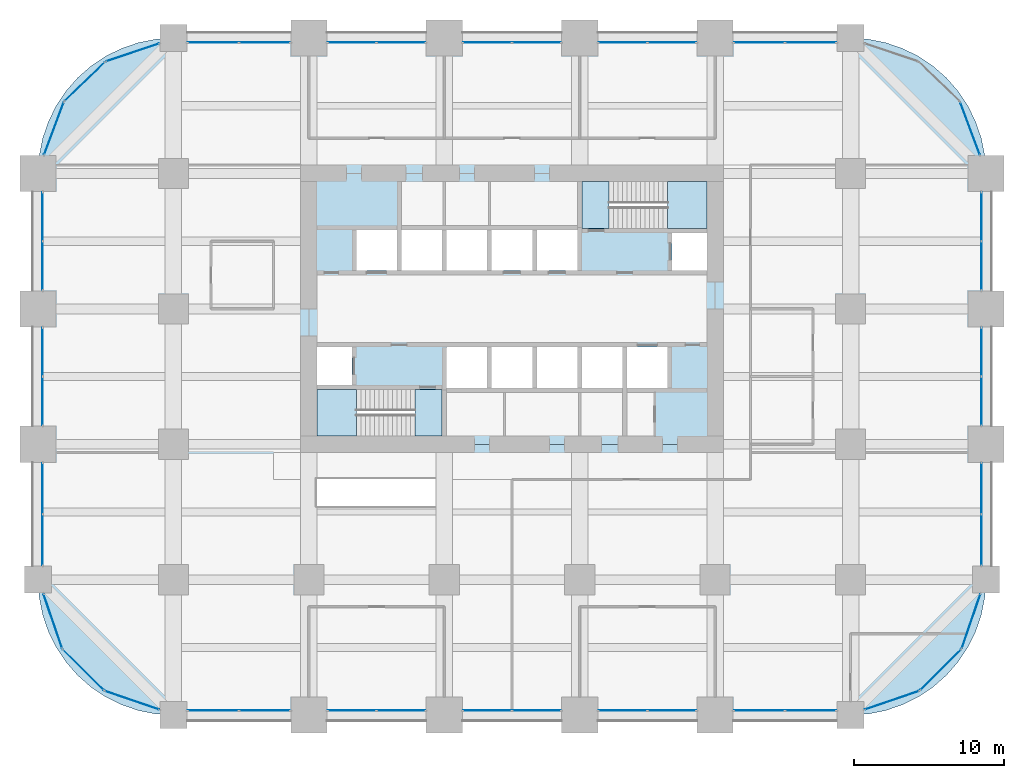
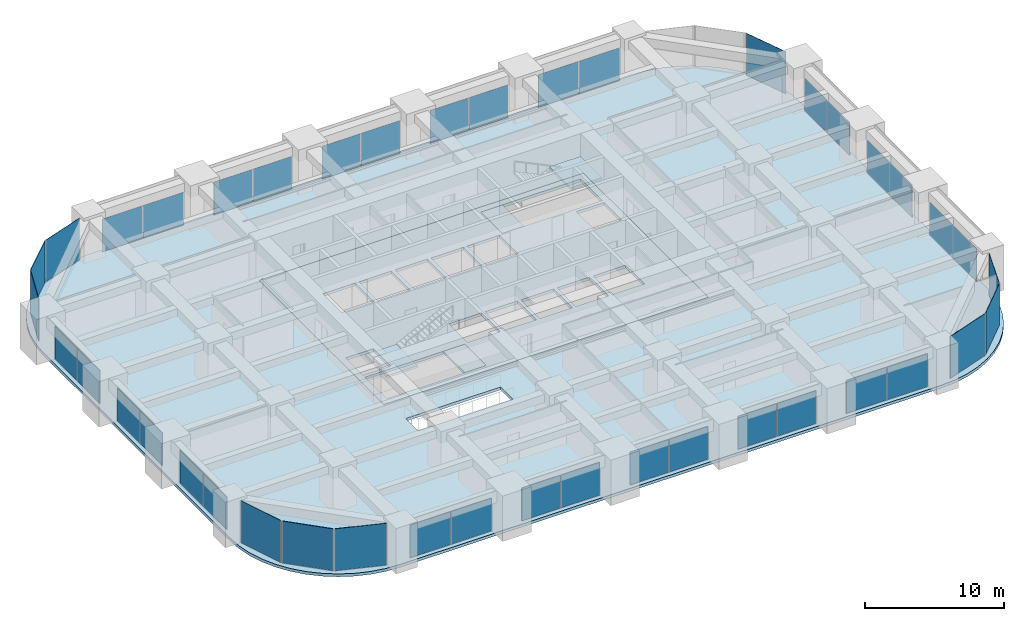
# One storey, part 35 of 39: 42 plates, 6 slabs, 28 elements without a shape of their own.
"""IFC4 building model written with IfcOpenShell, lengths in metres."""

from ifc_helpers import new_model, si_unit, direction, frame, origin, origin_2d, place, context, subcontext, project, spatial, polyline, rectangle, outline, extrude, material, layer, layer_set, type_object, element, aggregate, save


model = new_model("IFC4")

# Units and contexts
model_context = context("Model", 3, precision=1e-05, world=origin(), true_north=direction((0.0, 1.0)))
body_context = subcontext(model_context, "Body", "Model", "MODEL_VIEW")
ifc_project = project(units=[si_unit("LENGTHUNIT", "METRE"), si_unit("AREAUNIT", "SQUARE_METRE"), si_unit("VOLUMEUNIT", "CUBIC_METRE"), si_unit("PLANEANGLEUNIT", "RADIAN"), si_unit("MASSUNIT", "GRAM", prefix="KILO")], contexts=[model_context])

# Site, building, storey
site_placement = place(None, origin())
site = spatial("IfcSite", under=ifc_project, at=site_placement, CompositionType="ELEMENT")
building_placement = place(site_placement, origin())
building = spatial("IfcBuilding", under=site, at=building_placement, Name="Zorevar Civic Tower", CompositionType="ELEMENT")
storey_placement = place(building_placement, frame((0.0, 0.0, 121.0)))
storey = spatial("IfcBuildingStorey", under=building, at=storey_placement, Name="L29", CompositionType="ELEMENT", Elevation=121.0)

# Curtain wall, plates
ifc_material_1 = material(Name="Dark grey solar-control glass in black aluminium frame", Category="aluminium")
curtain_wall_type = type_object("IfcCurtainWallType", Name="Curtain wall CW3 mid zone", PredefinedType="NOTDEFINED", material=ifc_material_1)
curtain_wall_1_placement = place(storey_placement, origin())
curtain_wall_1 = element("IfcCurtainWall", 1, at=curtain_wall_1_placement, inside=storey, type_object=curtain_wall_type, Name="CW3 L29", PredefinedType="NOTDEFINED")
ifc_material_2 = material(Name="Dark grey solar-control glass", Category="glass")
ifc_layer_1 = layer(ifc_material_2, 0.030029296875)
ifc_layer_set_1 = layer_set([ifc_layer_1], Name="CW3 panel 30")
plate_type = type_object("IfcPlateType", Name="CW3 panel 30", PredefinedType="CURTAIN_PANEL", material=ifc_layer_set_1)
plate_1_placement = place(storey_placement, frame((11.639892578125, 0.300048828125, 0.06005859375), z_axis=(0.0, 0.0, 1.0), x_axis=(1.0, 0.0, 0.0)))
plate_1 = element("IfcPlate", 2, at=plate_1_placement, type_object=plate_type, Name="CW3 panel 1.1", PredefinedType="CURTAIN_PANEL", context=body_context, shape_type="SweptSolid", body=[
    extrude(rectangle(XDim=3.360107421875, YDim=0.030029296875, at=origin_2d()), origin(), (0.0, 0.0, 1.0), 2.889892578125),
])
plate_2_placement = place(storey_placement, frame((15.06005859375, 0.300048828125, 0.06005859375), z_axis=(0.0, 0.0, 1.0), x_axis=(1.0, 0.0, 0.0)))
plate_2 = element("IfcPlate", 3, at=plate_2_placement, type_object=plate_type, Name="CW3 panel 2.1", PredefinedType="CURTAIN_PANEL", context=body_context, shape_type="SweptSolid", body=[
    extrude(rectangle(XDim=3.360107421875, YDim=0.030029296875, at=origin_2d()), origin(), (0.0, 0.0, 1.0), 2.889892578125),
])
aggregate(curtain_wall_1, [plate_1, plate_2])

curtain_wall_2_placement = place(storey_placement, origin())
curtain_wall_2 = element("IfcCurtainWall", 4, at=curtain_wall_2_placement, inside=storey, type_object=curtain_wall_type, Name="CW3 L29", PredefinedType="NOTDEFINED")
plate_3_placement = place(storey_placement, frame((11.639892578125, 44.699951171875, 0.06005859375), z_axis=(0.0, 0.0, 1.0), x_axis=(1.0, 0.0, 0.0)))
plate_3 = element("IfcPlate", 5, at=plate_3_placement, type_object=plate_type, Name="CW3 panel 1.1", PredefinedType="CURTAIN_PANEL", context=body_context, shape_type="SweptSolid", body=[
    extrude(rectangle(XDim=3.360107421875, YDim=0.030029296875, at=origin_2d()), origin(), (0.0, 0.0, 1.0), 2.889892578125),
])
plate_4_placement = place(storey_placement, frame((15.06005859375, 44.699951171875, 0.06005859375), z_axis=(0.0, 0.0, 1.0), x_axis=(1.0, 0.0, 0.0)))
plate_4 = element("IfcPlate", 6, at=plate_4_placement, type_object=plate_type, Name="CW3 panel 2.1", PredefinedType="CURTAIN_PANEL", context=body_context, shape_type="SweptSolid", body=[
    extrude(rectangle(XDim=3.360107421875, YDim=0.030029296875, at=origin_2d()), origin(), (0.0, 0.0, 1.0), 2.889892578125),
])
aggregate(curtain_wall_2, [plate_3, plate_4])

curtain_wall_3_placement = place(storey_placement, origin())
curtain_wall_3 = element("IfcCurtainWall", 7, at=curtain_wall_3_placement, inside=storey, type_object=curtain_wall_type, Name="CW3 L29", PredefinedType="NOTDEFINED")
plate_5_placement = place(storey_placement, frame((20.864990234375, 0.300048828125, 0.06005859375), z_axis=(0.0, 0.0, 1.0), x_axis=(1.0, 0.0, 0.0)))
plate_5 = element("IfcPlate", 8, at=plate_5_placement, type_object=plate_type, Name="CW3 panel 1.1", PredefinedType="CURTAIN_PANEL", context=body_context, shape_type="SweptSolid", body=[
    extrude(rectangle(XDim=3.2099609375, YDim=0.030029296875, at=origin_2d()), origin(), (0.0, 0.0, 1.0), 2.889892578125),
])
plate_6_placement = place(storey_placement, frame((24.135009765625, 0.300048828125, 0.06005859375), z_axis=(0.0, 0.0, 1.0), x_axis=(1.0, 0.0, 0.0)))
plate_6 = element("IfcPlate", 9, at=plate_6_placement, type_object=plate_type, Name="CW3 panel 2.1", PredefinedType="CURTAIN_PANEL", context=body_context, shape_type="SweptSolid", body=[
    extrude(rectangle(XDim=3.2099609375, YDim=0.030029296875, at=origin_2d()), origin(), (0.0, 0.0, 1.0), 2.889892578125),
])
aggregate(curtain_wall_3, [plate_5, plate_6])

curtain_wall_4_placement = place(storey_placement, origin())
curtain_wall_4 = element("IfcCurtainWall", 10, at=curtain_wall_4_placement, inside=storey, type_object=curtain_wall_type, Name="CW3 L29", PredefinedType="NOTDEFINED")
plate_7_placement = place(storey_placement, frame((20.864990234375, 44.699951171875, 0.06005859375), z_axis=(0.0, 0.0, 1.0), x_axis=(1.0, 0.0, 0.0)))
plate_7 = element("IfcPlate", 11, at=plate_7_placement, type_object=plate_type, Name="CW3 panel 1.1", PredefinedType="CURTAIN_PANEL", context=body_context, shape_type="SweptSolid", body=[
    extrude(rectangle(XDim=3.2099609375, YDim=0.030029296875, at=origin_2d()), origin(), (0.0, 0.0, 1.0), 2.889892578125),
])
plate_8_placement = place(storey_placement, frame((24.135009765625, 44.699951171875, 0.06005859375), z_axis=(0.0, 0.0, 1.0), x_axis=(1.0, 0.0, 0.0)))
plate_8 = element("IfcPlate", 12, at=plate_8_placement, type_object=plate_type, Name="CW3 panel 2.1", PredefinedType="CURTAIN_PANEL", context=body_context, shape_type="SweptSolid", body=[
    extrude(rectangle(XDim=3.2099609375, YDim=0.030029296875, at=origin_2d()), origin(), (0.0, 0.0, 1.0), 2.889892578125),
])
aggregate(curtain_wall_4, [plate_7, plate_8])

curtain_wall_5_placement = place(storey_placement, origin())
curtain_wall_5 = element("IfcCurtainWall", 13, at=curtain_wall_5_placement, inside=storey, type_object=curtain_wall_type, Name="CW3 L29", PredefinedType="NOTDEFINED")
plate_9_placement = place(storey_placement, frame((29.864990234375, 0.300048828125, 0.06005859375), z_axis=(0.0, 0.0, 1.0), x_axis=(1.0, 0.0, 0.0)))
plate_9 = element("IfcPlate", 14, at=plate_9_placement, type_object=plate_type, Name="CW3 panel 1.1", PredefinedType="CURTAIN_PANEL", context=body_context, shape_type="SweptSolid", body=[
    extrude(rectangle(XDim=3.2099609375, YDim=0.030029296875, at=origin_2d()), origin(), (0.0, 0.0, 1.0), 2.889892578125),
])
plate_10_placement = place(storey_placement, frame((33.135009765625, 0.300048828125, 0.06005859375), z_axis=(0.0, 0.0, 1.0), x_axis=(1.0, 0.0, 0.0)))
plate_10 = element("IfcPlate", 15, at=plate_10_placement, type_object=plate_type, Name="CW3 panel 2.1", PredefinedType="CURTAIN_PANEL", context=body_context, shape_type="SweptSolid", body=[
    extrude(rectangle(XDim=3.2099609375, YDim=0.030029296875, at=origin_2d()), origin(), (0.0, 0.0, 1.0), 2.889892578125),
])
aggregate(curtain_wall_5, [plate_9, plate_10])

curtain_wall_6_placement = place(storey_placement, origin())
curtain_wall_6 = element("IfcCurtainWall", 16, at=curtain_wall_6_placement, inside=storey, type_object=curtain_wall_type, Name="CW3 L29", PredefinedType="NOTDEFINED")
plate_11_placement = place(storey_placement, frame((29.864990234375, 44.699951171875, 0.06005859375), z_axis=(0.0, 0.0, 1.0), x_axis=(1.0, 0.0, 0.0)))
plate_11 = element("IfcPlate", 17, at=plate_11_placement, type_object=plate_type, Name="CW3 panel 1.1", PredefinedType="CURTAIN_PANEL", context=body_context, shape_type="SweptSolid", body=[
    extrude(rectangle(XDim=3.2099609375, YDim=0.030029296875, at=origin_2d()), origin(), (0.0, 0.0, 1.0), 2.889892578125),
])
plate_12_placement = place(storey_placement, frame((33.135009765625, 44.699951171875, 0.06005859375), z_axis=(0.0, 0.0, 1.0), x_axis=(1.0, 0.0, 0.0)))
plate_12 = element("IfcPlate", 18, at=plate_12_placement, type_object=plate_type, Name="CW3 panel 2.1", PredefinedType="CURTAIN_PANEL", context=body_context, shape_type="SweptSolid", body=[
    extrude(rectangle(XDim=3.2099609375, YDim=0.030029296875, at=origin_2d()), origin(), (0.0, 0.0, 1.0), 2.889892578125),
])
aggregate(curtain_wall_6, [plate_11, plate_12])

curtain_wall_7_placement = place(storey_placement, origin())
curtain_wall_7 = element("IfcCurtainWall", 19, at=curtain_wall_7_placement, inside=storey, type_object=curtain_wall_type, Name="CW3 L29", PredefinedType="NOTDEFINED")
plate_13_placement = place(storey_placement, frame((38.864990234375, 0.300048828125, 0.06005859375), z_axis=(0.0, 0.0, 1.0), x_axis=(1.0, 0.0, 0.0)))
plate_13 = element("IfcPlate", 20, at=plate_13_placement, type_object=plate_type, Name="CW3 panel 1.1", PredefinedType="CURTAIN_PANEL", context=body_context, shape_type="SweptSolid", body=[
    extrude(rectangle(XDim=3.2099609375, YDim=0.030029296875, at=origin_2d()), origin(), (0.0, 0.0, 1.0), 2.889892578125),
])
plate_14_placement = place(storey_placement, frame((42.135009765625, 0.300048828125, 0.06005859375), z_axis=(0.0, 0.0, 1.0), x_axis=(1.0, 0.0, 0.0)))
plate_14 = element("IfcPlate", 21, at=plate_14_placement, type_object=plate_type, Name="CW3 panel 2.1", PredefinedType="CURTAIN_PANEL", context=body_context, shape_type="SweptSolid", body=[
    extrude(rectangle(XDim=3.2099609375, YDim=0.030029296875, at=origin_2d()), origin(), (0.0, 0.0, 1.0), 2.889892578125),
])
aggregate(curtain_wall_7, [plate_13, plate_14])

curtain_wall_8_placement = place(storey_placement, origin())
curtain_wall_8 = element("IfcCurtainWall", 22, at=curtain_wall_8_placement, inside=storey, type_object=curtain_wall_type, Name="CW3 L29", PredefinedType="NOTDEFINED")
plate_15_placement = place(storey_placement, frame((38.864990234375, 44.699951171875, 0.06005859375), z_axis=(0.0, 0.0, 1.0), x_axis=(1.0, 0.0, 0.0)))
plate_15 = element("IfcPlate", 23, at=plate_15_placement, type_object=plate_type, Name="CW3 panel 1.1", PredefinedType="CURTAIN_PANEL", context=body_context, shape_type="SweptSolid", body=[
    extrude(rectangle(XDim=3.2099609375, YDim=0.030029296875, at=origin_2d()), origin(), (0.0, 0.0, 1.0), 2.889892578125),
])
plate_16_placement = place(storey_placement, frame((42.135009765625, 44.699951171875, 0.06005859375), z_axis=(0.0, 0.0, 1.0), x_axis=(1.0, 0.0, 0.0)))
plate_16 = element("IfcPlate", 24, at=plate_16_placement, type_object=plate_type, Name="CW3 panel 2.1", PredefinedType="CURTAIN_PANEL", context=body_context, shape_type="SweptSolid", body=[
    extrude(rectangle(XDim=3.2099609375, YDim=0.030029296875, at=origin_2d()), origin(), (0.0, 0.0, 1.0), 2.889892578125),
])
aggregate(curtain_wall_8, [plate_15, plate_16])

curtain_wall_9_placement = place(storey_placement, origin())
curtain_wall_9 = element("IfcCurtainWall", 25, at=curtain_wall_9_placement, inside=storey, type_object=curtain_wall_type, Name="CW3 L29", PredefinedType="NOTDEFINED")
plate_17_placement = place(storey_placement, frame((47.93994140625, 0.300048828125, 0.06005859375), z_axis=(0.0, 0.0, 1.0), x_axis=(1.0, 0.0, 0.0)))
plate_17 = element("IfcPlate", 26, at=plate_17_placement, type_object=plate_type, Name="CW3 panel 1.1", PredefinedType="CURTAIN_PANEL", context=body_context, shape_type="SweptSolid", body=[
    extrude(rectangle(XDim=3.360107421875, YDim=0.030029296875, at=origin_2d()), origin(), (0.0, 0.0, 1.0), 2.889892578125),
])
plate_18_placement = place(storey_placement, frame((51.360107421875, 0.300048828125, 0.06005859375), z_axis=(0.0, 0.0, 1.0), x_axis=(1.0, 0.0, 0.0)))
plate_18 = element("IfcPlate", 27, at=plate_18_placement, type_object=plate_type, Name="CW3 panel 2.1", PredefinedType="CURTAIN_PANEL", context=body_context, shape_type="SweptSolid", body=[
    extrude(rectangle(XDim=3.360107421875, YDim=0.030029296875, at=origin_2d()), origin(), (0.0, 0.0, 1.0), 2.889892578125),
])
aggregate(curtain_wall_9, [plate_17, plate_18])

curtain_wall_10_placement = place(storey_placement, origin())
curtain_wall_10 = element("IfcCurtainWall", 28, at=curtain_wall_10_placement, inside=storey, type_object=curtain_wall_type, Name="CW3 L29", PredefinedType="NOTDEFINED")
plate_19_placement = place(storey_placement, frame((47.93994140625, 44.699951171875, 0.06005859375), z_axis=(0.0, 0.0, 1.0), x_axis=(1.0, 0.0, 0.0)))
plate_19 = element("IfcPlate", 29, at=plate_19_placement, type_object=plate_type, Name="CW3 panel 1.1", PredefinedType="CURTAIN_PANEL", context=body_context, shape_type="SweptSolid", body=[
    extrude(rectangle(XDim=3.360107421875, YDim=0.030029296875, at=origin_2d()), origin(), (0.0, 0.0, 1.0), 2.889892578125),
])
plate_20_placement = place(storey_placement, frame((51.360107421875, 44.699951171875, 0.06005859375), z_axis=(0.0, 0.0, 1.0), x_axis=(1.0, 0.0, 0.0)))
plate_20 = element("IfcPlate", 30, at=plate_20_placement, type_object=plate_type, Name="CW3 panel 2.1", PredefinedType="CURTAIN_PANEL", context=body_context, shape_type="SweptSolid", body=[
    extrude(rectangle(XDim=3.360107421875, YDim=0.030029296875, at=origin_2d()), origin(), (0.0, 0.0, 1.0), 2.889892578125),
])
aggregate(curtain_wall_10, [plate_19, plate_20])

curtain_wall_11_placement = place(storey_placement, origin())
curtain_wall_11 = element("IfcCurtainWall", 31, at=curtain_wall_11_placement, inside=storey, type_object=curtain_wall_type, Name="CW3 L29", PredefinedType="NOTDEFINED")
plate_21_placement = place(storey_placement, frame((0.300048828125, 11.639892578125, 0.06005859375), z_axis=(0.0, 0.0, 1.0), x_axis=(0.0, 1.0, 0.0)))
plate_21 = element("IfcPlate", 32, at=plate_21_placement, type_object=plate_type, Name="CW3 panel 1.1", PredefinedType="CURTAIN_PANEL", context=body_context, shape_type="SweptSolid", body=[
    extrude(rectangle(XDim=3.360107421875, YDim=0.030029296875, at=origin_2d()), origin(), (0.0, 0.0, 1.0), 2.889892578125),
])
plate_22_placement = place(storey_placement, frame((0.300048828125, 15.06005859375, 0.06005859375), z_axis=(0.0, 0.0, 1.0), x_axis=(0.0, 1.0, 0.0)))
plate_22 = element("IfcPlate", 33, at=plate_22_placement, type_object=plate_type, Name="CW3 panel 2.1", PredefinedType="CURTAIN_PANEL", context=body_context, shape_type="SweptSolid", body=[
    extrude(rectangle(XDim=3.360107421875, YDim=0.030029296875, at=origin_2d()), origin(), (0.0, 0.0, 1.0), 2.889892578125),
])
aggregate(curtain_wall_11, [plate_21, plate_22])

curtain_wall_12_placement = place(storey_placement, origin())
curtain_wall_12 = element("IfcCurtainWall", 34, at=curtain_wall_12_placement, inside=storey, type_object=curtain_wall_type, Name="CW3 L29", PredefinedType="NOTDEFINED")
plate_23_placement = place(storey_placement, frame((62.699951171875, 11.639892578125, 0.06005859375), z_axis=(0.0, 0.0, 1.0), x_axis=(0.0, 1.0, 0.0)))
plate_23 = element("IfcPlate", 35, at=plate_23_placement, type_object=plate_type, Name="CW3 panel 1.1", PredefinedType="CURTAIN_PANEL", context=body_context, shape_type="SweptSolid", body=[
    extrude(rectangle(XDim=3.360107421875, YDim=0.030029296875, at=origin_2d()), origin(), (0.0, 0.0, 1.0), 2.889892578125),
])
plate_24_placement = place(storey_placement, frame((62.699951171875, 15.06005859375, 0.06005859375), z_axis=(0.0, 0.0, 1.0), x_axis=(0.0, 1.0, 0.0)))
plate_24 = element("IfcPlate", 36, at=plate_24_placement, type_object=plate_type, Name="CW3 panel 2.1", PredefinedType="CURTAIN_PANEL", context=body_context, shape_type="SweptSolid", body=[
    extrude(rectangle(XDim=3.360107421875, YDim=0.030029296875, at=origin_2d()), origin(), (0.0, 0.0, 1.0), 2.889892578125),
])
aggregate(curtain_wall_12, [plate_23, plate_24])

curtain_wall_13_placement = place(storey_placement, origin())
curtain_wall_13 = element("IfcCurtainWall", 37, at=curtain_wall_13_placement, inside=storey, type_object=curtain_wall_type, Name="CW3 L29", PredefinedType="NOTDEFINED")
plate_25_placement = place(storey_placement, frame((0.300048828125, 20.864990234375, 0.06005859375), z_axis=(0.0, 0.0, 1.0), x_axis=(0.0, 1.0, 0.0)))
plate_25 = element("IfcPlate", 38, at=plate_25_placement, type_object=plate_type, Name="CW3 panel 1.1", PredefinedType="CURTAIN_PANEL", context=body_context, shape_type="SweptSolid", body=[
    extrude(rectangle(XDim=3.2099609375, YDim=0.030029296875, at=origin_2d()), origin(), (0.0, 0.0, 1.0), 2.889892578125),
])
plate_26_placement = place(storey_placement, frame((0.300048828125, 24.135009765625, 0.06005859375), z_axis=(0.0, 0.0, 1.0), x_axis=(0.0, 1.0, 0.0)))
plate_26 = element("IfcPlate", 39, at=plate_26_placement, type_object=plate_type, Name="CW3 panel 2.1", PredefinedType="CURTAIN_PANEL", context=body_context, shape_type="SweptSolid", body=[
    extrude(rectangle(XDim=3.2099609375, YDim=0.030029296875, at=origin_2d()), origin(), (0.0, 0.0, 1.0), 2.889892578125),
])
aggregate(curtain_wall_13, [plate_25, plate_26])

curtain_wall_14_placement = place(storey_placement, origin())
curtain_wall_14 = element("IfcCurtainWall", 40, at=curtain_wall_14_placement, inside=storey, type_object=curtain_wall_type, Name="CW3 L29", PredefinedType="NOTDEFINED")
plate_27_placement = place(storey_placement, frame((62.699951171875, 20.864990234375, 0.06005859375), z_axis=(0.0, 0.0, 1.0), x_axis=(0.0, 1.0, 0.0)))
plate_27 = element("IfcPlate", 41, at=plate_27_placement, type_object=plate_type, Name="CW3 panel 1.1", PredefinedType="CURTAIN_PANEL", context=body_context, shape_type="SweptSolid", body=[
    extrude(rectangle(XDim=3.2099609375, YDim=0.030029296875, at=origin_2d()), origin(), (0.0, 0.0, 1.0), 2.889892578125),
])
plate_28_placement = place(storey_placement, frame((62.699951171875, 24.135009765625, 0.06005859375), z_axis=(0.0, 0.0, 1.0), x_axis=(0.0, 1.0, 0.0)))
plate_28 = element("IfcPlate", 42, at=plate_28_placement, type_object=plate_type, Name="CW3 panel 2.1", PredefinedType="CURTAIN_PANEL", context=body_context, shape_type="SweptSolid", body=[
    extrude(rectangle(XDim=3.2099609375, YDim=0.030029296875, at=origin_2d()), origin(), (0.0, 0.0, 1.0), 2.889892578125),
])
aggregate(curtain_wall_14, [plate_27, plate_28])

curtain_wall_15_placement = place(storey_placement, origin())
curtain_wall_15 = element("IfcCurtainWall", 43, at=curtain_wall_15_placement, inside=storey, type_object=curtain_wall_type, Name="CW3 L29", PredefinedType="NOTDEFINED")
plate_29_placement = place(storey_placement, frame((0.300048828125, 29.864990234375, 0.06005859375), z_axis=(0.0, 0.0, 1.0), x_axis=(0.0, 1.0, 0.0)))
plate_29 = element("IfcPlate", 44, at=plate_29_placement, type_object=plate_type, Name="CW3 panel 1.1", PredefinedType="CURTAIN_PANEL", context=body_context, shape_type="SweptSolid", body=[
    extrude(rectangle(XDim=3.2099609375, YDim=0.030029296875, at=origin_2d()), origin(), (0.0, 0.0, 1.0), 2.889892578125),
])
plate_30_placement = place(storey_placement, frame((0.300048828125, 33.135009765625, 0.06005859375), z_axis=(0.0, 0.0, 1.0), x_axis=(0.0, 1.0, 0.0)))
plate_30 = element("IfcPlate", 45, at=plate_30_placement, type_object=plate_type, Name="CW3 panel 2.1", PredefinedType="CURTAIN_PANEL", context=body_context, shape_type="SweptSolid", body=[
    extrude(rectangle(XDim=3.2099609375, YDim=0.030029296875, at=origin_2d()), origin(), (0.0, 0.0, 1.0), 2.889892578125),
])
aggregate(curtain_wall_15, [plate_29, plate_30])

curtain_wall_16_placement = place(storey_placement, origin())
curtain_wall_16 = element("IfcCurtainWall", 46, at=curtain_wall_16_placement, inside=storey, type_object=curtain_wall_type, Name="CW3 L29", PredefinedType="NOTDEFINED")
plate_31_placement = place(storey_placement, frame((62.699951171875, 29.864990234375, 0.06005859375), z_axis=(0.0, 0.0, 1.0), x_axis=(0.0, 1.0, 0.0)))
plate_31 = element("IfcPlate", 47, at=plate_31_placement, type_object=plate_type, Name="CW3 panel 1.1", PredefinedType="CURTAIN_PANEL", context=body_context, shape_type="SweptSolid", body=[
    extrude(rectangle(XDim=3.2099609375, YDim=0.030029296875, at=origin_2d()), origin(), (0.0, 0.0, 1.0), 2.889892578125),
])
plate_32_placement = place(storey_placement, frame((62.699951171875, 33.135009765625, 0.06005859375), z_axis=(0.0, 0.0, 1.0), x_axis=(0.0, 1.0, 0.0)))
plate_32 = element("IfcPlate", 48, at=plate_32_placement, type_object=plate_type, Name="CW3 panel 2.1", PredefinedType="CURTAIN_PANEL", context=body_context, shape_type="SweptSolid", body=[
    extrude(rectangle(XDim=3.2099609375, YDim=0.030029296875, at=origin_2d()), origin(), (0.0, 0.0, 1.0), 2.889892578125),
])
aggregate(curtain_wall_16, [plate_31, plate_32])

# Curtain wall, plate
curtain_wall_17_placement = place(storey_placement, origin())
curtain_wall_17 = element("IfcCurtainWall", 49, at=curtain_wall_17_placement, inside=storey, type_object=curtain_wall_type, Name="CW3 L29", PredefinedType="NOTDEFINED")
plate_33_placement = place(storey_placement, frame((56.75390625, 0.9833984375, 0.06005859375), z_axis=(0.0, 0.0, 1.0), x_axis=(0.945755772794, 0.324878466857, 0.0)))
plate_33 = element("IfcPlate", 50, at=plate_33_placement, type_object=plate_type, Name="CW3 panel 1.1", PredefinedType="CURTAIN_PANEL", context=body_context, shape_type="SweptSolid", body=[
    extrude(rectangle(XDim=3.80029296875, YDim=0.030029296875, at=origin_2d()), origin(), (0.0, 0.0, 1.0), 3.68994140625),
])
aggregate(curtain_wall_17, [plate_33])

curtain_wall_18_placement = place(storey_placement, origin())
curtain_wall_18 = element("IfcCurtainWall", 51, at=curtain_wall_18_placement, inside=storey, type_object=curtain_wall_type, Name="CW3 L29", PredefinedType="NOTDEFINED")
plate_34_placement = place(storey_placement, frame((59.99365234375, 3.00634765625, 0.06005859375), z_axis=(0.0, 0.0, 1.0), x_axis=(0.707106781187, 0.707106781187, 0.0)))
plate_34 = element("IfcPlate", 52, at=plate_34_placement, type_object=plate_type, Name="CW3 panel 1.1", PredefinedType="CURTAIN_PANEL", context=body_context, shape_type="SweptSolid", body=[
    extrude(rectangle(XDim=3.80029296875, YDim=0.030029296875, at=origin_2d()), origin(), (0.0, 0.0, 1.0), 3.68994140625),
])
aggregate(curtain_wall_18, [plate_34])

curtain_wall_19_placement = place(storey_placement, origin())
curtain_wall_19 = element("IfcCurtainWall", 53, at=curtain_wall_19_placement, inside=storey, type_object=curtain_wall_type, Name="CW3 L29", PredefinedType="NOTDEFINED")
plate_35_placement = place(storey_placement, frame((62.0166015625, 6.24609375, 0.06005859375), z_axis=(0.0, 0.0, 1.0), x_axis=(0.324878466857, 0.945755772794, 0.0)))
plate_35 = element("IfcPlate", 54, at=plate_35_placement, type_object=plate_type, Name="CW3 panel 1.1", PredefinedType="CURTAIN_PANEL", context=body_context, shape_type="SweptSolid", body=[
    extrude(rectangle(XDim=3.80029296875, YDim=0.030029296875, at=origin_2d()), origin(), (0.0, 0.0, 1.0), 3.68994140625),
])
aggregate(curtain_wall_19, [plate_35])

curtain_wall_20_placement = place(storey_placement, origin())
curtain_wall_20 = element("IfcCurtainWall", 55, at=curtain_wall_20_placement, inside=storey, type_object=curtain_wall_type, Name="CW3 L29", PredefinedType="NOTDEFINED")
plate_36_placement = place(storey_placement, frame((61.94384765625, 38.988525390625, 0.06005859375), z_axis=(0.0, 0.0, 1.0), x_axis=(-0.352131520999, 0.935950528564, 0.0)))
plate_36 = element("IfcPlate", 56, at=plate_36_placement, type_object=plate_type, Name="CW3 panel 1.1", PredefinedType="CURTAIN_PANEL", context=body_context, shape_type="SweptSolid", body=[
    extrude(rectangle(XDim=3.7021484375, YDim=0.030029296875, at=origin_2d()), origin(), (0.0, 0.0, 1.0), 3.68994140625),
])
aggregate(curtain_wall_20, [plate_36])

curtain_wall_21_placement = place(storey_placement, origin())
curtain_wall_21 = element("IfcCurtainWall", 57, at=curtain_wall_21_placement, inside=storey, type_object=curtain_wall_type, Name="CW3 L29", PredefinedType="NOTDEFINED")
plate_37_placement = place(storey_placement, frame((6.2890625, 44.04296875, 0.06005859375), z_axis=(0.0, 0.0, 1.0), x_axis=(-0.947615765406, -0.319412525043, 0.0)))
plate_37 = element("IfcPlate", 58, at=plate_37_placement, type_object=plate_type, Name="CW3 panel 1.1", PredefinedType="CURTAIN_PANEL", context=body_context, shape_type="SweptSolid", body=[
    extrude(rectangle(XDim=3.7021484375, YDim=0.030029296875, at=origin_2d()), origin(), (0.0, 0.0, 1.0), 3.68994140625),
])
aggregate(curtain_wall_21, [plate_37])

curtain_wall_22_placement = place(storey_placement, origin())
curtain_wall_22 = element("IfcCurtainWall", 59, at=curtain_wall_22_placement, inside=storey, type_object=curtain_wall_type, Name="CW3 L29", PredefinedType="NOTDEFINED")
plate_38_placement = place(storey_placement, frame((3.103515625, 42.10498046875, 0.06005859375), z_axis=(0.0, 0.0, 1.0), x_axis=(-0.719281160023, -0.694719089155, 0.0)))
plate_38 = element("IfcPlate", 60, at=plate_38_placement, type_object=plate_type, Name="CW3 panel 1.1", PredefinedType="CURTAIN_PANEL", context=body_context, shape_type="SweptSolid", body=[
    extrude(rectangle(XDim=3.7021484375, YDim=0.030029296875, at=origin_2d()), origin(), (0.0, 0.0, 1.0), 3.68994140625),
])
aggregate(curtain_wall_22, [plate_38])

curtain_wall_23_placement = place(storey_placement, origin())
curtain_wall_23 = element("IfcCurtainWall", 61, at=curtain_wall_23_placement, inside=storey, type_object=curtain_wall_type, Name="CW3 L29", PredefinedType="NOTDEFINED")
plate_39_placement = place(storey_placement, frame((1.05615234375, 38.988525390625, 0.06005859375), z_axis=(0.0, 0.0, 1.0), x_axis=(-0.352131520999, -0.935950528564, 0.0)))
plate_39 = element("IfcPlate", 62, at=plate_39_placement, type_object=plate_type, Name="CW3 panel 1.1", PredefinedType="CURTAIN_PANEL", context=body_context, shape_type="SweptSolid", body=[
    extrude(rectangle(XDim=3.7021484375, YDim=0.030029296875, at=origin_2d()), origin(), (0.0, 0.0, 1.0), 3.68994140625),
])
aggregate(curtain_wall_23, [plate_39])

curtain_wall_24_placement = place(storey_placement, origin())
curtain_wall_24 = element("IfcCurtainWall", 63, at=curtain_wall_24_placement, inside=storey, type_object=curtain_wall_type, Name="CW3 L29", PredefinedType="NOTDEFINED")
plate_40_placement = place(storey_placement, frame((0.9833984375, 6.24609375, 0.06005859375), z_axis=(0.0, 0.0, 1.0), x_axis=(0.324878466857, -0.945755772794, 0.0)))
plate_40 = element("IfcPlate", 64, at=plate_40_placement, type_object=plate_type, Name="CW3 panel 1.1", PredefinedType="CURTAIN_PANEL", context=body_context, shape_type="SweptSolid", body=[
    extrude(rectangle(XDim=3.80029296875, YDim=0.030029296875, at=origin_2d()), origin(), (0.0, 0.0, 1.0), 3.68994140625),
])
aggregate(curtain_wall_24, [plate_40])

curtain_wall_25_placement = place(storey_placement, origin())
curtain_wall_25 = element("IfcCurtainWall", 65, at=curtain_wall_25_placement, inside=storey, type_object=curtain_wall_type, Name="CW3 L29", PredefinedType="NOTDEFINED")
plate_41_placement = place(storey_placement, frame((3.00634765625, 3.00634765625, 0.06005859375), z_axis=(0.0, 0.0, 1.0), x_axis=(0.707106781187, -0.707106781187, 0.0)))
plate_41 = element("IfcPlate", 66, at=plate_41_placement, type_object=plate_type, Name="CW3 panel 1.1", PredefinedType="CURTAIN_PANEL", context=body_context, shape_type="SweptSolid", body=[
    extrude(rectangle(XDim=3.80029296875, YDim=0.030029296875, at=origin_2d()), origin(), (0.0, 0.0, 1.0), 3.68994140625),
])
aggregate(curtain_wall_25, [plate_41])

curtain_wall_26_placement = place(storey_placement, origin())
curtain_wall_26 = element("IfcCurtainWall", 67, at=curtain_wall_26_placement, inside=storey, type_object=curtain_wall_type, Name="CW3 L29", PredefinedType="NOTDEFINED")
plate_42_placement = place(storey_placement, frame((6.24609375, 0.9833984375, 0.06005859375), z_axis=(0.0, 0.0, 1.0), x_axis=(0.945755772794, -0.324878466857, 0.0)))
plate_42 = element("IfcPlate", 68, at=plate_42_placement, type_object=plate_type, Name="CW3 panel 1.1", PredefinedType="CURTAIN_PANEL", context=body_context, shape_type="SweptSolid", body=[
    extrude(rectangle(XDim=3.80029296875, YDim=0.030029296875, at=origin_2d()), origin(), (0.0, 0.0, 1.0), 3.68994140625),
])
aggregate(curtain_wall_26, [plate_42])

# Slabs
ifc_material_3 = material(Name="Concrete C40/50", Category="concrete")
ifc_layer_2 = layer(ifc_material_3, 0.25)
ifc_layer_set_2 = layer_set([ifc_layer_2], Name="Floor slab 250")
slab_type_1 = type_object("IfcSlabType", Name="Floor slab 250", PredefinedType="FLOOR", material=ifc_layer_set_2)
slab_1_placement = place(storey_placement, frame((0.0, 0.0, -0.25)))
element("IfcSlab", 69, at=slab_1_placement, inside=storey, type_object=slab_type_1, Name="Floor slab L29", PredefinedType="FLOOR", context=body_context, shape_type="SweptSolid", body=[
    extrude(outline(polyline([(54.0, 0.0), (55.1748046875, 0.076904296875), (56.329345703125, 0.306640625), (57.444091796875, 0.68505859375), (58.5, 1.205810546875), (59.478759765625, 1.85986328125), (60.364013671875, 2.635986328125), (61.14013671875, 3.521240234375), (61.794189453125, 4.5), (62.31494140625, 5.555908203125), (62.693359375, 6.670654296875), (62.923095703125, 7.8251953125), (63.0, 9.0), (63.0, 36.0), (62.923095703125, 37.1748046875), (62.693359375, 38.329345703125), (62.31494140625, 39.444091796875), (61.794189453125, 40.5), (61.14013671875, 41.478759765625), (60.364013671875, 42.364013671875), (59.478759765625, 43.14013671875), (58.5, 43.794189453125), (57.444091796875, 44.31494140625), (56.329345703125, 44.693359375), (55.1748046875, 44.923095703125), (54.0, 45.0), (9.0, 45.0), (7.8251953125, 44.923095703125), (6.670654296875, 44.693359375), (5.555908203125, 44.31494140625), (4.5, 43.794189453125), (3.521240234375, 43.14013671875), (2.635986328125, 42.364013671875), (1.85986328125, 41.478759765625), (1.205810546875, 40.5), (0.68505859375, 39.444091796875), (0.306640625, 38.329345703125), (0.076904296875, 37.1748046875), (0.0, 36.0), (0.0, 9.0), (0.076904296875, 7.8251953125), (0.306640625, 6.670654296875), (0.68505859375, 5.555908203125), (1.205810546875, 4.5), (1.85986328125, 3.521240234375), (2.635986328125, 2.635986328125), (3.521240234375, 1.85986328125), (4.5, 1.205810546875), (5.555908203125, 0.68505859375), (6.670654296875, 0.306640625), (7.8251953125, 0.076904296875), (9.0, 0.0), (54.0, 0.0)]), holes=[polyline([(18.0, 18.0), (45.0, 18.0), (45.0, 36.0), (18.0, 36.0), (18.0, 18.0)]), polyline([(18.5, 13.89990234375), (26.39990234375, 13.89990234375), (26.39990234375, 15.699951171875), (18.5, 15.699951171875), (18.5, 13.89990234375)])]), origin(), (0.0, 0.0, 1.0), 0.25),
])
slab_2_placement = place(storey_placement, frame((0.0, 0.0, -0.25)))
element("IfcSlab", 70, at=slab_2_placement, inside=storey, type_object=slab_type_1, Name="Core floor L29", PredefinedType="FLOOR", context=body_context, shape_type="SweptSolid", body=[
    extrude(outline(polyline([(18.0, 18.0), (45.0, 18.0), (45.0, 36.0), (18.0, 36.0), (18.0, 18.0)]), holes=[polyline([(18.550048828125, 18.550048828125), (26.85009765625, 18.550048828125), (26.85009765625, 21.64990234375), (18.550048828125, 21.64990234375), (18.550048828125, 18.550048828125)]), polyline([(36.14990234375, 32.35009765625), (44.449951171875, 32.35009765625), (44.449951171875, 35.449951171875), (36.14990234375, 35.449951171875), (36.14990234375, 32.35009765625)]), polyline([(18.550048828125, 21.949951171875), (20.85009765625, 21.949951171875), (20.85009765625, 24.449951171875), (18.550048828125, 24.449951171875), (18.550048828125, 21.949951171875)]), polyline([(42.14990234375, 29.550048828125), (44.449951171875, 29.550048828125), (44.449951171875, 32.050048828125), (42.14990234375, 32.050048828125), (42.14990234375, 29.550048828125)]), polyline([(27.14990234375, 21.75), (29.85009765625, 21.75), (29.85009765625, 24.449951171875), (27.14990234375, 24.449951171875), (27.14990234375, 21.75)]), polyline([(33.14990234375, 29.550048828125), (35.85009765625, 29.550048828125), (35.85009765625, 32.25), (33.14990234375, 32.25), (33.14990234375, 29.550048828125)]), polyline([(30.14990234375, 21.75), (32.85009765625, 21.75), (32.85009765625, 24.449951171875), (30.14990234375, 24.449951171875), (30.14990234375, 21.75)]), polyline([(30.14990234375, 29.550048828125), (32.85009765625, 29.550048828125), (32.85009765625, 32.25), (30.14990234375, 32.25), (30.14990234375, 29.550048828125)]), polyline([(33.14990234375, 21.75), (35.85009765625, 21.75), (35.85009765625, 24.449951171875), (33.14990234375, 24.449951171875), (33.14990234375, 21.75)]), polyline([(27.14990234375, 29.550048828125), (29.85009765625, 29.550048828125), (29.85009765625, 32.25), (27.14990234375, 32.25), (27.14990234375, 29.550048828125)]), polyline([(36.14990234375, 21.75), (38.85009765625, 21.75), (38.85009765625, 24.449951171875), (36.14990234375, 24.449951171875), (36.14990234375, 21.75)]), polyline([(24.14990234375, 29.550048828125), (26.85009765625, 29.550048828125), (26.85009765625, 32.25), (24.14990234375, 32.25), (24.14990234375, 29.550048828125)]), polyline([(39.14990234375, 21.75), (41.85009765625, 21.75), (41.85009765625, 24.449951171875), (39.14990234375, 24.449951171875), (39.14990234375, 21.75)]), polyline([(21.14990234375, 29.550048828125), (23.85009765625, 29.550048828125), (23.85009765625, 32.25), (21.14990234375, 32.25), (21.14990234375, 29.550048828125)])]), origin(), (0.0, 0.0, 1.0), 0.25),
])

# Stair, slabs
ifc_material_4 = material(Name="Precast concrete C40/50", Category="concrete")
stair_type = type_object("IfcStairType", Name="Stair ST 28R", PredefinedType="HALF_TURN_STAIR", material=ifc_material_4)
stair_1_placement = place(storey_placement, origin())
stair_1 = element("IfcStair", 71, at=stair_1_placement, inside=storey, type_object=stair_type, Name="Stair ST1 L29", PredefinedType="HALF_TURN_STAIR")
ifc_material_5 = material(Name="Concrete C40/50", Category="concrete")
ifc_layer_3 = layer(ifc_material_5, 0.199951171875)
ifc_layer_set_3 = layer_set([ifc_layer_3], Name="Stair landing 200")
slab_type_2 = type_object("IfcSlabType", Name="Stair landing 200", PredefinedType="LANDING", material=ifc_layer_set_3)
slab_3_placement = place(storey_placement, frame((0.0, 0.0, -0.199951171875)))
slab_3 = element("IfcSlab", 72, at=slab_3_placement, type_object=slab_type_2, Name="ST1 landing 1", PredefinedType="LANDING", context=body_context, shape_type="SweptSolid", body=[
    extrude(outline(polyline([(25.050048828125, 18.550048828125), (26.85009765625, 18.550048828125), (26.85009765625, 21.64990234375), (25.050048828125, 21.64990234375), (25.050048828125, 18.550048828125)])), origin(), (0.0, 0.0, 1.0), 0.199951171875),
])
slab_4_placement = place(storey_placement, frame((0.0, 0.0, 1.800048828125)))
slab_4 = element("IfcSlab", 73, at=slab_4_placement, type_object=slab_type_2, Name="ST1 landing 2", PredefinedType="LANDING", context=body_context, shape_type="SweptSolid", body=[
    extrude(outline(polyline([(18.550048828125, 18.550048828125), (21.14990234375, 18.550048828125), (21.14990234375, 21.64990234375), (18.550048828125, 21.64990234375), (18.550048828125, 18.550048828125)])), origin(), (0.0, 0.0, 1.0), 0.199951171875),
])
aggregate(stair_1, [slab_3, slab_4])

stair_2_placement = place(storey_placement, origin())
stair_2 = element("IfcStair", 74, at=stair_2_placement, inside=storey, type_object=stair_type, Name="Stair ST2 L29", PredefinedType="HALF_TURN_STAIR")
slab_5_placement = place(storey_placement, frame((0.0, 0.0, -0.199951171875)))
slab_5 = element("IfcSlab", 75, at=slab_5_placement, type_object=slab_type_2, Name="ST2 landing 1", PredefinedType="LANDING", context=body_context, shape_type="SweptSolid", body=[
    extrude(outline(polyline([(37.949951171875, 32.35009765625), (36.14990234375, 32.35009765625), (36.14990234375, 35.449951171875), (37.949951171875, 35.449951171875), (37.949951171875, 32.35009765625)])), origin(), (0.0, 0.0, 1.0), 0.199951171875),
])
slab_6_placement = place(storey_placement, frame((0.0, 0.0, 1.800048828125)))
slab_6 = element("IfcSlab", 76, at=slab_6_placement, type_object=slab_type_2, Name="ST2 landing 2", PredefinedType="LANDING", context=body_context, shape_type="SweptSolid", body=[
    extrude(outline(polyline([(44.449951171875, 32.35009765625), (41.85009765625, 32.35009765625), (41.85009765625, 35.449951171875), (44.449951171875, 35.449951171875), (44.449951171875, 32.35009765625)])), origin(), (0.0, 0.0, 1.0), 0.199951171875),
])
aggregate(stair_2, [slab_5, slab_6])

save(model, "model.ifc")
